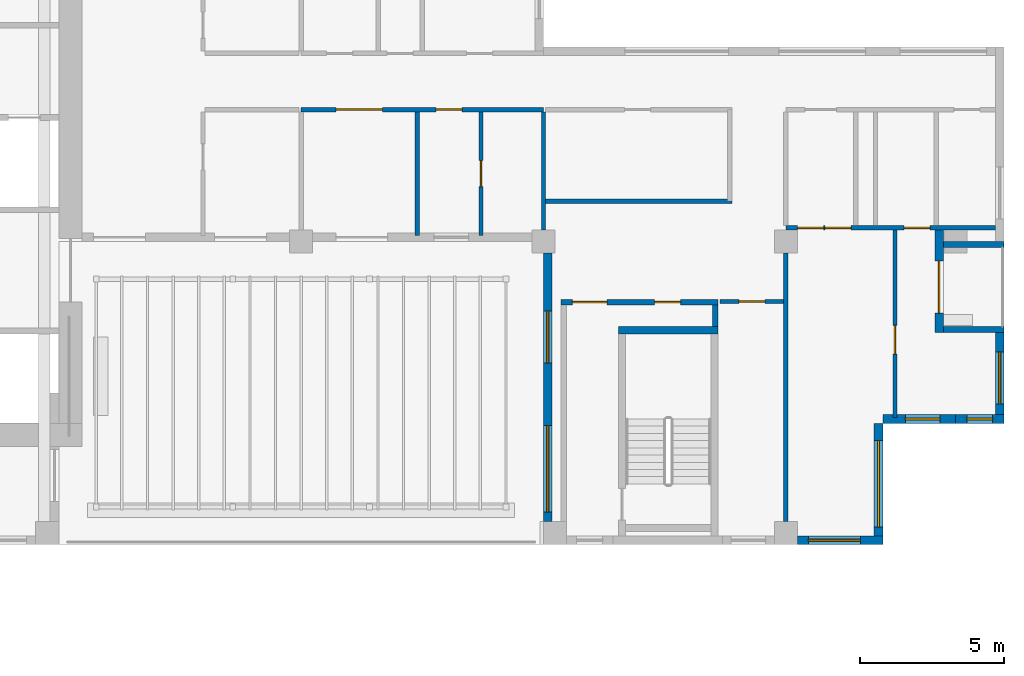
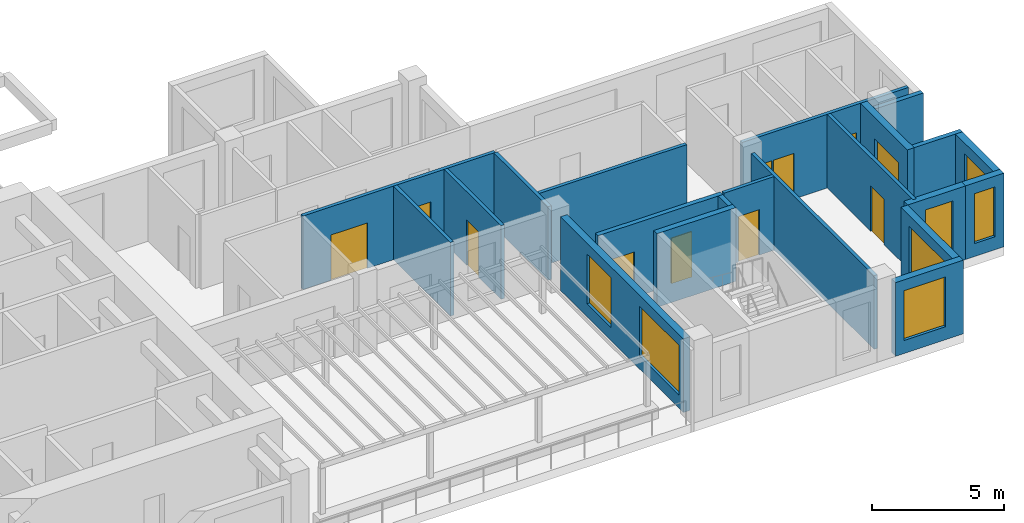
# One storey, part 6 of 13: 21 walls, 11 doors, 7 windows, 18 openings.
"""IFC4 building model written with IfcOpenShell, lengths in metres."""

from ifc_helpers import new_model, si_unit, direction, frame, frame_2d, origin, place, context, subcontext, project, spatial, rectangle, extrude, source, transform, mapped, material, layer, layer_set, type_object, element, fill, save


model = new_model("IFC4")

# Units and contexts
model_context = context("Model", 3, precision=1e-05, world=origin(), true_north=direction((0.0, 1.0)))
body_context = subcontext(model_context, "Body", "Model", "MODEL_VIEW")
ifc_project = project(units=[si_unit("LENGTHUNIT", "METRE"), si_unit("AREAUNIT", "SQUARE_METRE"), si_unit("VOLUMEUNIT", "CUBIC_METRE"), si_unit("PLANEANGLEUNIT", "RADIAN"), si_unit("MASSUNIT", "GRAM", prefix="KILO")], contexts=[model_context])

# Site, building, storey
site_placement = place(None, origin())
site = spatial("IfcSite", under=ifc_project, at=site_placement, CompositionType="ELEMENT")
building_placement = place(site_placement, origin())
building = spatial("IfcBuilding", under=site, at=building_placement, Name="Aurelian Terraces", CompositionType="ELEMENT")
storey_placement = place(building_placement, frame((0.0, 0.0, 253.8)))
storey = spatial("IfcBuildingStorey", under=building, at=storey_placement, Name="L58", CompositionType="ELEMENT", Elevation=253.8)

# Wall, opening, door
ifc_material_1 = material(Name="Gypsum board on steel studs", Category="steel")
ifc_layer_1 = layer(ifc_material_1, 0.15)
ifc_layer_set_1 = layer_set([ifc_layer_1], Name="Partition 150")
wall_type_1 = type_object("IfcWallType", Name="Partition 150", PredefinedType="PARTITIONING", material=ifc_layer_set_1)
wall_1_placement = place(storey_placement, frame((49.98, 4.405, 0.0), z_axis=(0.0, 0.0, 1.0), x_axis=(0.0, 1.0, 0.0)))
wall_1 = element("IfcWall", 1, at=wall_1_placement, inside=storey, type_object=wall_type_1, Name="Partition", PredefinedType="PARTITIONING", context=body_context, shape_type="SweptSolid", body=[
    extrude(rectangle(XDim=6.495, YDim=0.15, at=frame_2d((3.2475, 0.0))), origin(), (0.0, 0.0, 1.0), 3.4),
])
shared_shape_1 = source(origin(), body_context, "Body", "SweptSolid", [
    extrude(rectangle(XDim=1.0, YDim=2.1, at=frame_2d((0.5, 1.05))), frame((0.0, 0.085, 0.0), z_axis=(0.0, -1.0, 0.0), x_axis=(1.0, 0.0, 0.0)), (0.0, 0.0, 1.0), 0.17),
])
opening_1_placement = place(wall_1_placement, frame((2.195, 0.0, 0.0)))
opening_1 = element("IfcOpeningElement", 2, at=opening_1_placement, cuts=wall_1, Name="Opening 758012", PredefinedType="OPENING", context=body_context, shape_type="MappedRepresentation", body=[
    mapped(shared_shape_1, transform((0.0, 0.0, 0.0), scale=1.0)),
])
ifc_material_2 = material(Name="Timber door leaf", Category="wood")
door_type_1 = type_object("IfcDoorType", Name="Room door 1000x2100 right", OperationType="SINGLE_SWING_RIGHT", PredefinedType="DOOR", material=ifc_material_2)
shared_shape_2 = source(origin(), body_context, "Body", "SweptSolid", [
    extrude(rectangle(XDim=1.0, YDim=2.1, at=frame_2d((0.5, 1.05))), frame((0.0, 0.025, 0.0), z_axis=(0.0, -1.0, 0.0), x_axis=(1.0, 0.0, 0.0)), (0.0, 0.0, 1.0), 0.05),
])
door_1_placement = place(opening_1_placement, origin())
door_1 = element("IfcDoor", 3, at=door_1_placement, inside=storey, type_object=door_type_1, Name="Door 758012", OperationType="SINGLE_SWING_RIGHT", OverallHeight=2.1, OverallWidth=1.0, PredefinedType="DOOR", context=body_context, shape_type="MappedRepresentation", body=[
    mapped(shared_shape_2, transform((0.0, 0.0, 0.0), scale=1.0)),
])
fill(opening_1, door_1)

# Wall, opening, window
ifc_material_3 = material(Name="Terracotta rainscreen cladding", Category="masonry")
ifc_layer_2 = layer(ifc_material_3, 0.3)
ifc_layer_set_2 = layer_set([ifc_layer_2], Name="EW-300")
wall_type_2 = type_object("IfcWallType", Name="EW-300", PredefinedType="STANDARD", material=ifc_layer_set_2)
shared_shape_3 = source(origin(), body_context, "Body", "SweptSolid", [
    extrude(rectangle(XDim=4.2, YDim=0.3, at=frame_2d((2.1, 0.0))), origin(), (0.0, 0.0, 1.0), 3.4),
])
wall_2_placement = place(storey_placement, frame((49.41, 0.0, 0.0), z_axis=(0.0, 0.0, 1.0), x_axis=(0.0, 1.0, 0.0)))
wall_2 = element("IfcWall", 4, at=wall_2_placement, inside=storey, type_object=wall_type_2, Name="External wall L58 F06.11", PredefinedType="STANDARD", context=body_context, shape_type="MappedRepresentation", body=[
    mapped(shared_shape_3, transform((0.0, 0.0, 0.0), scale=1.0)),
])
shared_shape_4 = source(origin(), body_context, "Body", "SweptSolid", [
    extrude(rectangle(XDim=3.0, YDim=2.3, at=frame_2d((1.5, 1.15))), frame((0.0, 0.16, 0.0), z_axis=(0.0, -1.0, 0.0), x_axis=(1.0, 0.0, 0.0)), (0.0, 0.0, 1.0), 0.32),
])
opening_2_placement = place(wall_2_placement, frame((0.6, 0.0, 0.6)))
opening_2 = element("IfcOpeningElement", 5, at=opening_2_placement, cuts=wall_2, Name="Opening W3023", PredefinedType="OPENING", context=body_context, shape_type="MappedRepresentation", body=[
    mapped(shared_shape_4, transform((0.0, 0.0, 0.0), scale=1.0)),
])
ifc_material_4 = material(Name="Clear glazing", Category="glass")
window_type_1 = type_object("IfcWindowType", Name="W-3000x2300", PartitioningType="SINGLE_PANEL", PredefinedType="WINDOW", material=ifc_material_4)
shared_shape_5 = source(origin(), body_context, "Body", "SweptSolid", [
    extrude(rectangle(XDim=3.0, YDim=2.3, at=frame_2d((1.5, 1.15))), frame((0.0, 0.03, 0.0), z_axis=(0.0, -1.0, 0.0), x_axis=(1.0, 0.0, 0.0)), (0.0, 0.0, 1.0), 0.06),
])
window_1_placement = place(opening_2_placement, origin())
window_1 = element("IfcWindow", 6, at=window_1_placement, inside=storey, type_object=window_type_1, Name="Window L58 L58-F06-11-0", OverallHeight=2.3, OverallWidth=3.0, PartitioningType="SINGLE_PANEL", PredefinedType="WINDOW", context=body_context, shape_type="MappedRepresentation", body=[
    mapped(shared_shape_5, transform((0.0, 0.0, 0.0), scale=1.0)),
])
fill(opening_2, window_1)

shared_shape_6 = source(origin(), body_context, "Body", "SweptSolid", [
    extrude(rectangle(XDim=2.52, YDim=0.3, at=frame_2d((1.26, 0.0))), origin(), (0.0, 0.0, 1.0), 3.4),
])
wall_3_placement = place(storey_placement, frame((49.56, 4.35, 0.0), z_axis=(0.0, 0.0, 1.0), x_axis=(1.0, 0.0, 0.0)))
wall_3 = element("IfcWall", 7, at=wall_3_placement, inside=storey, type_object=wall_type_2, Name="External wall L58 F07.12", PredefinedType="STANDARD", context=body_context, shape_type="MappedRepresentation", body=[
    mapped(shared_shape_6, transform((0.0, 0.0, 0.0), scale=1.0)),
])
shared_shape_7 = source(origin(), body_context, "Body", "SweptSolid", [
    extrude(rectangle(XDim=1.2, YDim=2.3, at=frame_2d((0.6, 1.15))), frame((0.0, 0.16, 0.0), z_axis=(0.0, -1.0, 0.0), x_axis=(1.0, 0.0, 0.0)), (0.0, 0.0, 1.0), 0.32),
])
opening_3_placement = place(wall_3_placement, frame((0.7775, 0.0, 0.6)))
opening_3 = element("IfcOpeningElement", 8, at=opening_3_placement, cuts=wall_3, Name="Opening W1223", PredefinedType="OPENING", context=body_context, shape_type="MappedRepresentation", body=[
    mapped(shared_shape_7, transform((0.0, 0.0, 0.0), scale=1.0)),
])
window_type_2 = type_object("IfcWindowType", Name="W-1200x2300", PartitioningType="SINGLE_PANEL", PredefinedType="WINDOW", material=ifc_material_4)
shared_shape_8 = source(origin(), body_context, "Body", "SweptSolid", [
    extrude(rectangle(XDim=1.2, YDim=2.3, at=frame_2d((0.6, 1.15))), frame((0.0, 0.03, 0.0), z_axis=(0.0, -1.0, 0.0), x_axis=(1.0, 0.0, 0.0)), (0.0, 0.0, 1.0), 0.06),
])
window_2_placement = place(opening_3_placement, origin())
window_2 = element("IfcWindow", 9, at=window_2_placement, inside=storey, type_object=window_type_2, Name="Window L58 L58-F07-12-P0", OverallHeight=2.3, OverallWidth=1.2, PartitioningType="SINGLE_PANEL", PredefinedType="WINDOW", context=body_context, shape_type="MappedRepresentation", body=[
    mapped(shared_shape_8, transform((0.0, 0.0, 0.0), scale=1.0)),
])
fill(opening_3, window_2)

shared_shape_9 = source(origin(), body_context, "Body", "SweptSolid", [
    extrude(rectangle(XDim=1.68, YDim=0.3, at=frame_2d((0.84, 0.0))), origin(), (0.0, 0.0, 1.0), 3.4),
])
wall_4_placement = place(storey_placement, frame((52.08, 4.35, 0.0), z_axis=(0.0, 0.0, 1.0), x_axis=(1.0, 0.0, 0.0)))
wall_4 = element("IfcWall", 10, at=wall_4_placement, inside=storey, type_object=wall_type_2, Name="External wall L58 F07.13", PredefinedType="STANDARD", context=body_context, shape_type="MappedRepresentation", body=[
    mapped(shared_shape_9, transform((0.0, 0.0, 0.0), scale=1.0)),
])
shared_shape_10 = source(origin(), body_context, "Body", "SweptSolid", [
    extrude(rectangle(XDim=0.9, YDim=2.3, at=frame_2d((0.45, 1.15))), frame((0.0, 0.16, 0.0), z_axis=(0.0, -1.0, 0.0), x_axis=(1.0, 0.0, 0.0)), (0.0, 0.0, 1.0), 0.32),
])
opening_4_placement = place(wall_4_placement, frame((0.39, 0.0, 0.6)))
opening_4 = element("IfcOpeningElement", 11, at=opening_4_placement, cuts=wall_4, Name="Opening W0923", PredefinedType="OPENING", context=body_context, shape_type="MappedRepresentation", body=[
    mapped(shared_shape_10, transform((0.0, 0.0, 0.0), scale=1.0)),
])
window_type_3 = type_object("IfcWindowType", Name="W-900x2300", PartitioningType="SINGLE_PANEL", PredefinedType="WINDOW", material=ifc_material_4)
shared_shape_11 = source(origin(), body_context, "Body", "SweptSolid", [
    extrude(rectangle(XDim=0.9, YDim=2.3, at=frame_2d((0.45, 1.15))), frame((0.0, 0.03, 0.0), z_axis=(0.0, -1.0, 0.0), x_axis=(1.0, 0.0, 0.0)), (0.0, 0.0, 1.0), 0.06),
])
window_3_placement = place(opening_4_placement, origin())
window_3 = element("IfcWindow", 12, at=window_3_placement, inside=storey, type_object=window_type_3, Name="Window L58 L58-F07-13-P0", OverallHeight=2.3, OverallWidth=0.9, PartitioningType="SINGLE_PANEL", PredefinedType="WINDOW", context=body_context, shape_type="MappedRepresentation", body=[
    mapped(shared_shape_11, transform((0.0, 0.0, 0.0), scale=1.0)),
])
fill(opening_4, window_3)

shared_shape_12 = source(origin(), body_context, "Body", "SweptSolid", [
    extrude(rectangle(XDim=3.15, YDim=0.3, at=frame_2d((1.575, 0.0))), origin(), (0.0, 0.0, 1.0), 3.4),
])
wall_5_placement = place(storey_placement, frame((53.61, 4.2, 0.0), z_axis=(0.0, 0.0, 1.0), x_axis=(0.0, 1.0, 0.0)))
wall_5 = element("IfcWall", 13, at=wall_5_placement, inside=storey, type_object=wall_type_2, Name="External wall L58 F08.14", PredefinedType="STANDARD", context=body_context, shape_type="MappedRepresentation", body=[
    mapped(shared_shape_12, transform((0.0, 0.0, 0.0), scale=1.0)),
])
shared_shape_13 = source(origin(), body_context, "Body", "SweptSolid", [
    extrude(rectangle(XDim=1.8, YDim=2.3, at=frame_2d((0.9, 1.15))), frame((0.0, 0.16, 0.0), z_axis=(0.0, -1.0, 0.0), x_axis=(1.0, 0.0, 0.0)), (0.0, 0.0, 1.0), 0.32),
])
opening_5_placement = place(wall_5_placement, frame((0.675, 0.0, 0.6)))
opening_5 = element("IfcOpeningElement", 14, at=opening_5_placement, cuts=wall_5, Name="Opening W1823", PredefinedType="OPENING", context=body_context, shape_type="MappedRepresentation", body=[
    mapped(shared_shape_13, transform((0.0, 0.0, 0.0), scale=1.0)),
])
window_type_4 = type_object("IfcWindowType", Name="W-1800x2300", PartitioningType="SINGLE_PANEL", PredefinedType="WINDOW", material=ifc_material_4)
shared_shape_14 = source(origin(), body_context, "Body", "SweptSolid", [
    extrude(rectangle(XDim=1.8, YDim=2.3, at=frame_2d((0.9, 1.15))), frame((0.0, 0.03, 0.0), z_axis=(0.0, -1.0, 0.0), x_axis=(1.0, 0.0, 0.0)), (0.0, 0.0, 1.0), 0.06),
])
window_4_placement = place(opening_5_placement, origin())
window_4 = element("IfcWindow", 15, at=window_4_placement, inside=storey, type_object=window_type_4, Name="Window L58 L58-F08-14-0", OverallHeight=2.3, OverallWidth=1.8, PartitioningType="SINGLE_PANEL", PredefinedType="WINDOW", context=body_context, shape_type="MappedRepresentation", body=[
    mapped(shared_shape_14, transform((0.0, 0.0, 0.0), scale=1.0)),
])
fill(opening_5, window_4)

# Walls
ifc_layer_3 = layer(ifc_material_3, 0.2)
ifc_layer_set_3 = layer_set([ifc_layer_3], Name="EW-200")
wall_type_3 = type_object("IfcWallType", Name="EW-200", PredefinedType="STANDARD", material=ifc_layer_set_3)
shared_shape_15 = source(origin(), body_context, "Body", "SweptSolid", [
    extrude(rectangle(XDim=2.1, YDim=0.2, at=frame_2d((1.05, 0.0))), origin(), (0.0, 0.0, 1.0), 3.4),
])
for number, where, z_axis, x_axis, name in (
    (16, (53.76, 7.45, 0.0), (0.0, 0.0, 1.0), (-1.0, 0.0, 0.0), "Loggia return L58 F08.15.1"),
    (17, (53.76, 10.4, 0.0), (0.0, 0.0, 1.0), (-1.0, 0.0, 0.0), "Loggia return L58 F08.15.2"),
):
    element("IfcWall", number, at=place(storey_placement, frame(where, z_axis=z_axis, x_axis=x_axis)), inside=storey, type_object=wall_type_3, Name=name, PredefinedType="STANDARD", context=body_context, shape_type="MappedRepresentation", body=[
        mapped(shared_shape_15, transform((0.0, 0.0, 0.0), scale=1.0)),
    ])

# Wall, opening, window
shared_shape_16 = source(origin(), body_context, "Body", "SweptSolid", [
    extrude(rectangle(XDim=2.96, YDim=0.3, at=frame_2d((1.48, 0.0))), origin(), (0.0, 0.0, 1.0), 3.4),
])
wall_6_placement = place(storey_placement, frame((46.6, 0.15, 0.0), z_axis=(0.0, 0.0, 1.0), x_axis=(1.0, 0.0, 0.0)))
wall_6 = element("IfcWall", 18, at=wall_6_placement, inside=storey, type_object=wall_type_2, Name="External wall L58 F05.10", PredefinedType="STANDARD", context=body_context, shape_type="MappedRepresentation", body=[
    mapped(shared_shape_16, transform((0.0, 0.0, 0.0), scale=1.0)),
])
opening_6_placement = place(wall_6_placement, frame((0.38, 0.0, 0.6)))
opening_6 = element("IfcOpeningElement", 19, at=opening_6_placement, cuts=wall_6, Name="Opening W1823", PredefinedType="OPENING", context=body_context, shape_type="MappedRepresentation", body=[
    mapped(shared_shape_13, transform((0.0, 0.0, 0.0), scale=1.0)),
])
window_5_placement = place(opening_6_placement, origin())
window_5 = element("IfcWindow", 20, at=window_5_placement, inside=storey, type_object=window_type_4, Name="Window L58 L58-F05-10-0", OverallHeight=2.3, OverallWidth=1.8, PartitioningType="SINGLE_PANEL", PredefinedType="WINDOW", context=body_context, shape_type="MappedRepresentation", body=[
    mapped(shared_shape_14, transform((0.0, 0.0, 0.0), scale=1.0)),
])
fill(opening_6, window_5)

# Wall, openings, windows
shared_shape_17 = source(origin(), body_context, "Body", "SweptSolid", [
    extrude(rectangle(XDim=9.3, YDim=0.3, at=frame_2d((4.65, 0.0))), origin(), (0.0, 0.0, 1.0), 3.4),
])
wall_7_placement = place(storey_placement, frame((37.95, 10.1, 0.0), z_axis=(0.0, 0.0, 1.0), x_axis=(0.0, -1.0, 0.0)))
wall_7 = element("IfcWall", 21, at=wall_7_placement, inside=storey, type_object=wall_type_2, Name="External wall L58 F04.8", PredefinedType="STANDARD", context=body_context, shape_type="MappedRepresentation", body=[
    mapped(shared_shape_17, transform((0.0, 0.0, 0.0), scale=1.0)),
])
opening_7_placement = place(wall_7_placement, frame((2.0125, 0.0, 0.6)))
opening_7 = element("IfcOpeningElement", 22, at=opening_7_placement, cuts=wall_7, Name="Opening W1823", PredefinedType="OPENING", context=body_context, shape_type="MappedRepresentation", body=[
    mapped(shared_shape_13, transform((0.0, 0.0, 0.0), scale=1.0)),
])
opening_8_placement = place(wall_7_placement, frame((5.975, 0.0, 0.6)))
opening_8 = element("IfcOpeningElement", 23, at=opening_8_placement, cuts=wall_7, Name="Opening W3023", PredefinedType="OPENING", context=body_context, shape_type="MappedRepresentation", body=[
    mapped(shared_shape_4, transform((0.0, 0.0, 0.0), scale=1.0)),
])
window_6_placement = place(opening_8_placement, origin())
window_6 = element("IfcWindow", 24, at=window_6_placement, inside=storey, type_object=window_type_1, Name="Window L58 L58-F04-08-1", OverallHeight=2.3, OverallWidth=3.0, PartitioningType="SINGLE_PANEL", PredefinedType="WINDOW", context=body_context, shape_type="MappedRepresentation", body=[
    mapped(shared_shape_5, transform((0.0, 0.0, 0.0), scale=1.0)),
])
fill(opening_8, window_6)
window_7_placement = place(opening_7_placement, origin())
window_7 = element("IfcWindow", 25, at=window_7_placement, inside=storey, type_object=window_type_4, Name="Window L58 L58-F04-08-0", OverallHeight=2.3, OverallWidth=1.8, PartitioningType="SINGLE_PANEL", PredefinedType="WINDOW", context=body_context, shape_type="MappedRepresentation", body=[
    mapped(shared_shape_14, transform((0.0, 0.0, 0.0), scale=1.0)),
])
fill(opening_7, window_7)

# Wall, opening, door
shared_shape_18 = source(origin(), body_context, "Body", "SweptSolid", [
    extrude(rectangle(XDim=3.55, YDim=0.3, at=frame_2d((1.775, 0.0))), origin(), (0.0, 0.0, 1.0), 3.4),
])
wall_8_placement = place(storey_placement, frame((51.51, 7.35, 0.0), z_axis=(0.0, 0.0, 1.0), x_axis=(0.0, 1.0, 0.0)))
wall_8 = element("IfcWall", 26, at=wall_8_placement, inside=storey, type_object=wall_type_2, Name="Loggia wall L58 F08.15", PredefinedType="STANDARD", context=body_context, shape_type="MappedRepresentation", body=[
    mapped(shared_shape_18, transform((0.0, 0.0, 0.0), scale=1.0)),
])
shared_shape_19 = source(origin(), body_context, "Body", "SweptSolid", [
    extrude(rectangle(XDim=1.8, YDim=2.4, at=frame_2d((0.9, 1.2))), frame((0.0, 0.16, 0.0), z_axis=(0.0, -1.0, 0.0), x_axis=(1.0, 0.0, 0.0)), (0.0, 0.0, 1.0), 0.32),
])
opening_9_placement = place(wall_8_placement, frame((0.675, 0.0, 0.0)))
opening_9 = element("IfcOpeningElement", 27, at=opening_9_placement, cuts=wall_8, Name="Opening 85806", PredefinedType="OPENING", context=body_context, shape_type="MappedRepresentation", body=[
    mapped(shared_shape_19, transform((0.0, 0.0, 0.0), scale=1.0)),
])
door_type_2 = type_object("IfcDoorType", Name="BD-1800x2400", OperationType="SLIDING_TO_LEFT", PredefinedType="DOOR", material=ifc_material_4)
shared_shape_20 = source(origin(), body_context, "Body", "SweptSolid", [
    extrude(rectangle(XDim=1.8, YDim=2.4, at=frame_2d((0.9, 1.2))), frame((0.0, 0.025, 0.0), z_axis=(0.0, -1.0, 0.0), x_axis=(1.0, 0.0, 0.0)), (0.0, 0.0, 1.0), 0.05),
])
door_2_placement = place(opening_9_placement, origin())
door_2 = element("IfcDoor", 28, at=door_2_placement, inside=storey, type_object=door_type_2, Name="Balcony door L58 F08.15", OperationType="SLIDING_TO_LEFT", OverallHeight=2.4, OverallWidth=1.8, PredefinedType="DOOR", context=body_context, shape_type="MappedRepresentation", body=[
    mapped(shared_shape_20, transform((0.0, 0.0, 0.0), scale=1.0)),
])
fill(opening_9, door_2)

# Wall
ifc_material_5 = material(Name="Concrete fc' 40 MPa", Category="concrete")
ifc_layer_4 = layer(ifc_material_5, 0.25)
ifc_layer_set_4 = layer_set([ifc_layer_4], Name="Stair enclosure wall 250")
wall_type_4 = type_object("IfcWallType", Name="Stair enclosure wall 250", PredefinedType="SOLIDWALL", material=ifc_layer_set_4)
shared_shape_21 = source(origin(), body_context, "Body", "SweptSolid", [
    extrude(rectangle(XDim=3.45, YDim=0.25, at=frame_2d((1.725, 0.0))), origin(), (0.0, 0.0, 1.0), 3.4),
])
wall_9_placement = place(storey_placement, frame((40.4, 7.425, 0.0), z_axis=(0.0, 0.0, 1.0), x_axis=(1.0, 0.0, 0.0)))
element("IfcWall", 29, at=wall_9_placement, inside=storey, type_object=wall_type_4, Name="L58 core wall ST-S2-N", PredefinedType="SOLIDWALL", context=body_context, shape_type="MappedRepresentation", body=[
    mapped(shared_shape_21, transform((0.0, 0.0, 0.0), scale=1.0)),
])

# Wall, openings, doors
ifc_layer_5 = layer(ifc_material_1, 0.2)
ifc_layer_set_5 = layer_set([ifc_layer_5], Name="Core partition 200")
wall_type_5 = type_object("IfcWallType", Name="Core partition 200", PredefinedType="PARTITIONING", material=ifc_layer_set_5)
shared_shape_22 = source(origin(), body_context, "Body", "SweptSolid", [
    extrude(rectangle(XDim=5.45, YDim=0.2, at=frame_2d((2.725, 0.0))), origin(), (0.0, 0.0, 1.0), 3.4),
])
wall_10_placement = place(storey_placement, frame((38.4, 8.4, 0.0), z_axis=(0.0, 0.0, 1.0), x_axis=(1.0, 0.0, 0.0)))
wall_10 = element("IfcWall", 30, at=wall_10_placement, inside=storey, type_object=wall_type_5, Name="L58 core wall ST-S2-BN", PredefinedType="PARTITIONING", context=body_context, shape_type="MappedRepresentation", body=[
    mapped(shared_shape_22, transform((0.0, 0.0, 0.0), scale=1.0)),
])
shared_shape_23 = source(origin(), body_context, "Body", "SweptSolid", [
    extrude(rectangle(XDim=1.2, YDim=2.1, at=frame_2d((0.6, 1.05))), frame((0.0, 0.11, 0.0), z_axis=(0.0, -1.0, 0.0), x_axis=(1.0, 0.0, 0.0)), (0.0, 0.0, 1.0), 0.22),
])
opening_10_placement = place(wall_10_placement, frame((0.4, 0.0, 0.0)))
opening_10 = element("IfcOpeningElement", 31, at=opening_10_placement, cuts=wall_10, Name="Opening 66116", PredefinedType="OPENING", context=body_context, shape_type="MappedRepresentation", body=[
    mapped(shared_shape_23, transform((0.0, 0.0, 0.0), scale=1.0)),
])
shared_shape_24 = source(origin(), body_context, "Body", "SweptSolid", [
    extrude(rectangle(XDim=0.9, YDim=2.1, at=frame_2d((0.45, 1.05))), frame((0.0, 0.11, 0.0), z_axis=(0.0, -1.0, 0.0), x_axis=(1.0, 0.0, 0.0)), (0.0, 0.0, 1.0), 0.22),
])
opening_11_placement = place(wall_10_placement, frame((3.25, 0.0, 0.0)))
opening_11 = element("IfcOpeningElement", 32, at=opening_11_placement, cuts=wall_10, Name="Opening 66117", PredefinedType="OPENING", context=body_context, shape_type="MappedRepresentation", body=[
    mapped(shared_shape_24, transform((0.0, 0.0, 0.0), scale=1.0)),
])
ifc_material_6 = material(Name="Steel door leaf", Category="steel")
door_type_3 = type_object("IfcDoorType", Name="Core riser door 900x2100", OperationType="SINGLE_SWING_LEFT", PredefinedType="DOOR", material=ifc_material_6)
shared_shape_25 = source(origin(), body_context, "Body", "SweptSolid", [
    extrude(rectangle(XDim=0.9, YDim=2.1, at=frame_2d((0.45, 1.05))), frame((0.0, 0.025, 0.0), z_axis=(0.0, -1.0, 0.0), x_axis=(1.0, 0.0, 0.0)), (0.0, 0.0, 1.0), 0.05),
])
door_3_placement = place(opening_11_placement, origin())
door_3 = element("IfcDoor", 33, at=door_3_placement, inside=storey, type_object=door_type_3, Name="Riser door 66117", OperationType="SINGLE_SWING_LEFT", OverallHeight=2.1, OverallWidth=0.9, PredefinedType="DOOR", context=body_context, shape_type="MappedRepresentation", body=[
    mapped(shared_shape_25, transform((0.0, 0.0, 0.0), scale=1.0)),
])
fill(opening_11, door_3)
door_type_4 = type_object("IfcDoorType", Name="Core fire door 1200x2100 right", OperationType="SINGLE_SWING_RIGHT", PredefinedType="DOOR", material=ifc_material_6)
shared_shape_26 = source(origin(), body_context, "Body", "SweptSolid", [
    extrude(rectangle(XDim=1.2, YDim=2.1, at=frame_2d((0.6, 1.05))), frame((0.0, 0.025, 0.0), z_axis=(0.0, -1.0, 0.0), x_axis=(1.0, 0.0, 0.0)), (0.0, 0.0, 1.0), 0.05),
])
door_4_placement = place(opening_10_placement, origin())
door_4 = element("IfcDoor", 34, at=door_4_placement, inside=storey, type_object=door_type_4, Name="Vestibule door 66116", OperationType="SINGLE_SWING_RIGHT", OverallHeight=2.1, OverallWidth=1.2, PredefinedType="DOOR", context=body_context, shape_type="MappedRepresentation", body=[
    mapped(shared_shape_26, transform((0.0, 0.0, 0.0), scale=1.0)),
])
fill(opening_10, door_4)

# Walls
shared_shape_27 = source(origin(), body_context, "Body", "SweptSolid", [
    extrude(rectangle(XDim=0.75, YDim=0.2, at=frame_2d((0.375, 0.0))), origin(), (0.0, 0.0, 1.0), 3.4),
])
wall_11_placement = place(storey_placement, frame((43.75, 7.55, 0.0), z_axis=(0.0, 0.0, 1.0), x_axis=(0.0, 1.0, 0.0)))
element("IfcWall", 35, at=wall_11_placement, inside=storey, type_object=wall_type_5, Name="L58 core wall ST-S2-RE", PredefinedType="PARTITIONING", context=body_context, shape_type="MappedRepresentation", body=[
    mapped(shared_shape_27, transform((0.0, 0.0, 0.0), scale=1.0)),
])
shared_shape_28 = source(origin(), body_context, "Body", "SweptSolid", [
    extrude(rectangle(XDim=6.45, YDim=0.15, at=frame_2d((3.225, 0.0))), origin(), (0.0, 0.0, 1.0), 3.4),
])
wall_12_placement = place(storey_placement, frame((37.875, 11.9, 0.0), z_axis=(0.0, 0.0, 1.0), x_axis=(1.0, 0.0, 0.0)))
element("IfcWall", 36, at=wall_12_placement, inside=storey, type_object=wall_type_1, Name="Partition", PredefinedType="PARTITIONING", context=body_context, shape_type="MappedRepresentation", body=[
    mapped(shared_shape_28, transform((0.0, 0.0, 0.0), scale=1.0)),
])

# Wall, openings, doors
ifc_layer_6 = layer(ifc_material_1, 0.15)
ifc_layer_set_6 = layer_set([ifc_layer_6], Name="Fire partition 150")
wall_type_6 = type_object("IfcWallType", Name="Fire partition 150", PredefinedType="PARTITIONING", material=ifc_layer_set_6)
shared_shape_29 = source(origin(), body_context, "Body", "SweptSolid", [
    extrude(rectangle(XDim=8.4, YDim=0.15, at=frame_2d((4.2, 0.0))), origin(), (0.0, 0.0, 1.0), 3.4),
])
wall_13_placement = place(storey_placement, frame((37.8, 15.075, 0.0), z_axis=(0.0, 0.0, 1.0), x_axis=(-1.0, 0.0, 0.0)))
wall_13 = element("IfcWall", 37, at=wall_13_placement, inside=storey, type_object=wall_type_6, Name="Corridor wall", PredefinedType="PARTITIONING", context=body_context, shape_type="MappedRepresentation", body=[
    mapped(shared_shape_29, transform((0.0, 0.0, 0.0), scale=1.0)),
])
shared_shape_30 = source(origin(), body_context, "Body", "SweptSolid", [
    extrude(rectangle(XDim=1.6, YDim=2.1, at=frame_2d((0.8, 1.05))), frame((0.0, 0.085, 0.0), z_axis=(0.0, -1.0, 0.0), x_axis=(1.0, 0.0, 0.0)), (0.0, 0.0, 1.0), 0.17),
])
opening_12_placement = place(wall_13_placement, frame((5.5888, 0.0, 0.0)))
opening_12 = element("IfcOpeningElement", 38, at=opening_12_placement, cuts=wall_13, Name="Opening 758005", PredefinedType="OPENING", context=body_context, shape_type="MappedRepresentation", body=[
    mapped(shared_shape_30, transform((0.0, 0.0, 0.0), scale=1.0)),
])
shared_shape_31 = source(origin(), body_context, "Body", "SweptSolid", [
    extrude(rectangle(XDim=0.9, YDim=2.1, at=frame_2d((0.45, 1.05))), frame((0.0, 0.085, 0.0), z_axis=(0.0, -1.0, 0.0), x_axis=(1.0, 0.0, 0.0)), (0.0, 0.0, 1.0), 0.17),
])
opening_13_placement = place(wall_13_placement, frame((2.8224, 0.0, 0.0)))
opening_13 = element("IfcOpeningElement", 39, at=opening_13_placement, cuts=wall_13, Name="Opening 758006", PredefinedType="OPENING", context=body_context, shape_type="MappedRepresentation", body=[
    mapped(shared_shape_31, transform((0.0, 0.0, 0.0), scale=1.0)),
])
door_type_5 = type_object("IfcDoorType", Name="Entrance fire door 900x2100 left", OperationType="SINGLE_SWING_LEFT", PredefinedType="DOOR", material=ifc_material_6)
door_5_placement = place(opening_13_placement, origin())
door_5 = element("IfcDoor", 40, at=door_5_placement, inside=storey, type_object=door_type_5, Name="Door 758006", OperationType="SINGLE_SWING_LEFT", OverallHeight=2.1, OverallWidth=0.9, PredefinedType="DOOR", context=body_context, shape_type="MappedRepresentation", body=[
    mapped(shared_shape_25, transform((0.0, 0.0, 0.0), scale=1.0)),
])
fill(opening_13, door_5)
door_type_6 = type_object("IfcDoorType", Name="Entrance fire door 1600x2100 left", OperationType="SINGLE_SWING_LEFT", PredefinedType="DOOR", material=ifc_material_6)
shared_shape_32 = source(origin(), body_context, "Body", "SweptSolid", [
    extrude(rectangle(XDim=1.6, YDim=2.1, at=frame_2d((0.8, 1.05))), frame((0.0, 0.025, 0.0), z_axis=(0.0, -1.0, 0.0), x_axis=(1.0, 0.0, 0.0)), (0.0, 0.0, 1.0), 0.05),
])
door_6_placement = place(opening_12_placement, origin())
door_6 = element("IfcDoor", 41, at=door_6_placement, inside=storey, type_object=door_type_6, Name="Door 758005", OperationType="SINGLE_SWING_LEFT", OverallHeight=2.1, OverallWidth=1.6, PredefinedType="DOOR", context=body_context, shape_type="MappedRepresentation", body=[
    mapped(shared_shape_32, transform((0.0, 0.0, 0.0), scale=1.0)),
])
fill(opening_12, door_6)

# Wall, opening, door
shared_shape_33 = source(origin(), body_context, "Body", "SweptSolid", [
    extrude(rectangle(XDim=2.2, YDim=0.15, at=frame_2d((1.1, 0.0))), origin(), (0.0, 0.0, 1.0), 3.4),
])
wall_14_placement = place(storey_placement, frame((46.125, 8.425, 0.0), z_axis=(0.0, 0.0, 1.0), x_axis=(-1.0, 0.0, 0.0)))
wall_14 = element("IfcWall", 42, at=wall_14_placement, inside=storey, type_object=wall_type_1, Name="Partition", PredefinedType="PARTITIONING", context=body_context, shape_type="MappedRepresentation", body=[
    mapped(shared_shape_33, transform((0.0, 0.0, 0.0), scale=1.0)),
])
opening_14_placement = place(wall_14_placement, frame((0.65, 0.0, 0.0)))
opening_14 = element("IfcOpeningElement", 43, at=opening_14_placement, cuts=wall_14, Name="Opening 758004", PredefinedType="OPENING", context=body_context, shape_type="MappedRepresentation", body=[
    mapped(shared_shape_31, transform((0.0, 0.0, 0.0), scale=1.0)),
])
door_type_7 = type_object("IfcDoorType", Name="Room door 900x2100 right", OperationType="SINGLE_SWING_RIGHT", PredefinedType="DOOR", material=ifc_material_2)
door_7_placement = place(opening_14_placement, origin())
door_7 = element("IfcDoor", 44, at=door_7_placement, inside=storey, type_object=door_type_7, Name="Door 758004", OperationType="SINGLE_SWING_RIGHT", OverallHeight=2.1, OverallWidth=0.9, PredefinedType="DOOR", context=body_context, shape_type="MappedRepresentation", body=[
    mapped(shared_shape_25, transform((0.0, 0.0, 0.0), scale=1.0)),
])
fill(opening_14, door_7)

# Wall, openings, doors
shared_shape_34 = source(origin(), body_context, "Body", "SweptSolid", [
    extrude(rectangle(XDim=7.26, YDim=0.15, at=frame_2d((3.63, 0.0))), origin(), (0.0, 0.0, 1.0), 3.4),
])
wall_15_placement = place(storey_placement, frame((53.46, 10.975, 0.0), z_axis=(0.0, 0.0, 1.0), x_axis=(-1.0, 0.0, 0.0)))
wall_15 = element("IfcWall", 45, at=wall_15_placement, inside=storey, type_object=wall_type_1, Name="Partition", PredefinedType="PARTITIONING", context=body_context, shape_type="MappedRepresentation", body=[
    mapped(shared_shape_34, transform((0.0, 0.0, 0.0), scale=1.0)),
])
opening_15_placement = place(wall_15_placement, frame((4.999, 0.0, 0.0)))
opening_15 = element("IfcOpeningElement", 46, at=opening_15_placement, cuts=wall_15, Name="Opening 758008", PredefinedType="OPENING", context=body_context, shape_type="MappedRepresentation", body=[
    mapped(shared_shape_31, transform((0.0, 0.0, 0.0), scale=1.0)),
])
opening_16_placement = place(wall_15_placement, frame((5.95, 0.0, 0.0)))
opening_16 = element("IfcOpeningElement", 47, at=opening_16_placement, cuts=wall_15, Name="Opening 758009", PredefinedType="OPENING", context=body_context, shape_type="MappedRepresentation", body=[
    mapped(shared_shape_31, transform((0.0, 0.0, 0.0), scale=1.0)),
])
opening_17_placement = place(wall_15_placement, frame((2.2639, 0.0, 0.0)))
opening_17 = element("IfcOpeningElement", 48, at=opening_17_placement, cuts=wall_15, Name="Opening 758010", PredefinedType="OPENING", context=body_context, shape_type="MappedRepresentation", body=[
    mapped(shared_shape_31, transform((0.0, 0.0, 0.0), scale=1.0)),
])
door_8_placement = place(opening_15_placement, origin())
door_8 = element("IfcDoor", 49, at=door_8_placement, inside=storey, type_object=door_type_7, Name="Door 758008", OperationType="SINGLE_SWING_RIGHT", OverallHeight=2.1, OverallWidth=0.9, PredefinedType="DOOR", context=body_context, shape_type="MappedRepresentation", body=[
    mapped(shared_shape_25, transform((0.0, 0.0, 0.0), scale=1.0)),
])
fill(opening_15, door_8)
door_type_8 = type_object("IfcDoorType", Name="Room door 900x2100 left", OperationType="SINGLE_SWING_LEFT", PredefinedType="DOOR", material=ifc_material_2)
door_9_placement = place(opening_16_placement, origin())
door_9 = element("IfcDoor", 50, at=door_9_placement, inside=storey, type_object=door_type_8, Name="Door 758009", OperationType="SINGLE_SWING_LEFT", OverallHeight=2.1, OverallWidth=0.9, PredefinedType="DOOR", context=body_context, shape_type="MappedRepresentation", body=[
    mapped(shared_shape_25, transform((0.0, 0.0, 0.0), scale=1.0)),
])
fill(opening_16, door_9)
door_10_placement = place(opening_17_placement, origin())
door_10 = element("IfcDoor", 51, at=door_10_placement, inside=storey, type_object=door_type_7, Name="Door 758010", OperationType="SINGLE_SWING_RIGHT", OverallHeight=2.1, OverallWidth=0.9, PredefinedType="DOOR", context=body_context, shape_type="MappedRepresentation", body=[
    mapped(shared_shape_25, transform((0.0, 0.0, 0.0), scale=1.0)),
])
fill(opening_17, door_10)

# Wall
shared_shape_35 = source(origin(), body_context, "Body", "SweptSolid", [
    extrude(rectangle(XDim=4.295, YDim=0.15, at=frame_2d((2.1475, 0.0))), origin(), (0.0, 0.0, 1.0), 3.4),
])
wall_16_placement = place(storey_placement, frame((33.4224, 10.705, 0.0), z_axis=(0.0, 0.0, 1.0), x_axis=(0.0, 1.0, 0.0)))
element("IfcWall", 52, at=wall_16_placement, inside=storey, type_object=wall_type_1, Name="Partition", PredefinedType="PARTITIONING", context=body_context, shape_type="MappedRepresentation", body=[
    mapped(shared_shape_35, transform((0.0, 0.0, 0.0), scale=1.0)),
])

# Wall, opening, door
wall_17_placement = place(storey_placement, frame((35.6329, 10.705, 0.0), z_axis=(0.0, 0.0, 1.0), x_axis=(0.0, 1.0, 0.0)))
wall_17 = element("IfcWall", 53, at=wall_17_placement, inside=storey, type_object=wall_type_1, Name="Partition", PredefinedType="PARTITIONING", context=body_context, shape_type="MappedRepresentation", body=[
    mapped(shared_shape_35, transform((0.0, 0.0, 0.0), scale=1.0)),
])
opening_18_placement = place(wall_17_placement, frame((1.6975, 0.0, 0.0)))
opening_18 = element("IfcOpeningElement", 54, at=opening_18_placement, cuts=wall_17, Name="Opening 758035", PredefinedType="OPENING", context=body_context, shape_type="MappedRepresentation", body=[
    mapped(shared_shape_31, transform((0.0, 0.0, 0.0), scale=1.0)),
])
door_11_placement = place(opening_18_placement, origin())
door_11 = element("IfcDoor", 55, at=door_11_placement, inside=storey, type_object=door_type_8, Name="Door 758035", OperationType="SINGLE_SWING_LEFT", OverallHeight=2.1, OverallWidth=0.9, PredefinedType="DOOR", context=body_context, shape_type="MappedRepresentation", body=[
    mapped(shared_shape_25, transform((0.0, 0.0, 0.0), scale=1.0)),
])
fill(opening_18, door_11)

# Walls
shared_shape_36 = source(origin(), body_context, "Body", "SweptSolid", [
    extrude(rectangle(XDim=9.302, YDim=0.15, at=frame_2d((4.651, 0.0))), origin(), (0.0, 0.0, 1.0), 3.4),
])
wall_18_placement = place(storey_placement, frame((46.2, 0.799, 0.0), z_axis=(0.0, 0.0, 1.0), x_axis=(0.0, 1.0, 0.0)))
element("IfcWall", 56, at=wall_18_placement, inside=storey, type_object=wall_type_6, Name="Party wall", PredefinedType="PARTITIONING", context=body_context, shape_type="MappedRepresentation", body=[
    mapped(shared_shape_36, transform((0.0, 0.0, 0.0), scale=1.0)),
])
shared_shape_37 = source(origin(), body_context, "Body", "SweptSolid", [
    extrude(rectangle(XDim=4.101, YDim=0.15, at=frame_2d((2.0505, 0.0))), origin(), (0.0, 0.0, 1.0), 3.4),
])
wall_19_placement = place(storey_placement, frame((37.8, 10.899, 0.0), z_axis=(0.0, 0.0, 1.0), x_axis=(0.0, 1.0, 0.0)))
element("IfcWall", 57, at=wall_19_placement, inside=storey, type_object=wall_type_6, Name="Party wall", PredefinedType="PARTITIONING", context=body_context, shape_type="MappedRepresentation", body=[
    mapped(shared_shape_37, transform((0.0, 0.0, 0.0), scale=1.0)),
])

save(model, "model.ifc")
